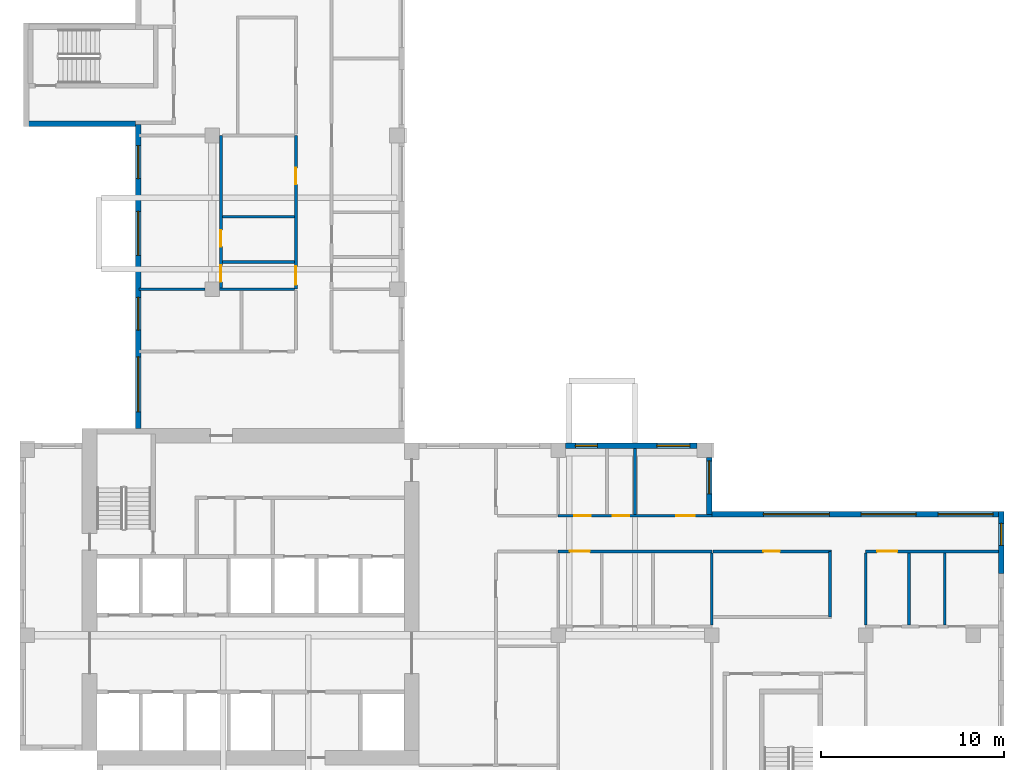
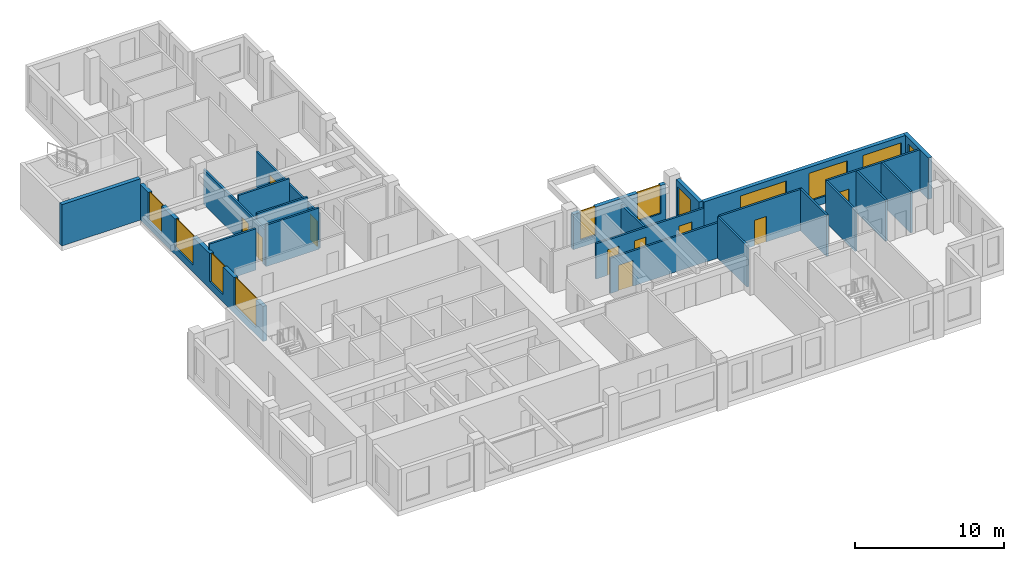
# One storey, part 5 of 11: 22 walls, 11 windows, 10 doors, 21 openings.
"""IFC4 building model written with IfcOpenShell, lengths in metres."""

from ifc_helpers import new_model, si_unit, direction, frame, frame_2d, origin, place, context, subcontext, project, spatial, rectangle, extrude, source, transform, mapped, material, layer, layer_set, type_object, element, fill, save


model = new_model("IFC4")

# Units and contexts
model_context = context("Model", 3, precision=1e-05, world=origin(), true_north=direction((0.0, 1.0)))
body_context = subcontext(model_context, "Body", "Model", "MODEL_VIEW")
ifc_project = project(units=[si_unit("LENGTHUNIT", "METRE"), si_unit("AREAUNIT", "SQUARE_METRE"), si_unit("VOLUMEUNIT", "CUBIC_METRE"), si_unit("PLANEANGLEUNIT", "RADIAN"), si_unit("MASSUNIT", "GRAM", prefix="KILO")], contexts=[model_context])

# Site, building, storey
site_placement = place(None, origin())
site = spatial("IfcSite", under=ifc_project, at=site_placement, CompositionType="ELEMENT")
building_placement = place(site_placement, origin())
building = spatial("IfcBuilding", under=site, at=building_placement, Name="Aurelian Terraces", CompositionType="ELEMENT")
storey_placement = place(building_placement, frame((0.0, 0.0, 250.0)))
storey = spatial("IfcBuildingStorey", under=building, at=storey_placement, Name="L57", CompositionType="ELEMENT", Elevation=250.0)

# Wall
ifc_material_1 = material(Name="Concrete fc' 40 MPa", Category="concrete")
ifc_layer_1 = layer(ifc_material_1, 0.3)
ifc_layer_set_1 = layer_set([ifc_layer_1], Name="STAIR BAY WALL 300")
wall_type_1 = type_object("IfcWallType", Name="STAIR BAY WALL 300", PredefinedType="SOLIDWALL", material=ifc_layer_set_1)
shared_shape_1 = source(origin(), body_context, "Body", "SweptSolid", [
    extrude(rectangle(XDim=6.1, YDim=0.3, at=frame_2d((3.05, 0.0))), origin(), (0.0, 0.0, 1.0), 3.4),
])
wall_1_placement = place(storey_placement, frame((0.2, 38.45, 0.0), z_axis=(0.0, 0.0, 1.0), x_axis=(1.0, 0.0, 0.0)))
element("IfcWall", 1, at=wall_1_placement, inside=storey, type_object=wall_type_1, Name="Stair bay wall L57 F15.28", PredefinedType="SOLIDWALL", context=body_context, shape_type="MappedRepresentation", body=[
    mapped(shared_shape_1, transform((0.0, 0.0, 0.0), scale=1.0)),
])

# Wall, opening, window
ifc_material_2 = material(Name="Terracotta rainscreen cladding", Category="masonry")
ifc_layer_2 = layer(ifc_material_2, 0.3)
ifc_layer_set_2 = layer_set([ifc_layer_2], Name="EW-300")
wall_type_2 = type_object("IfcWallType", Name="EW-300", PredefinedType="STANDARD", material=ifc_layer_set_2)
shared_shape_2 = source(origin(), body_context, "Body", "SweptSolid", [
    extrude(rectangle(XDim=3.375, YDim=0.3, at=frame_2d((1.6875, 0.0))), origin(), (0.0, 0.0, 1.0), 3.4),
])
wall_2_placement = place(storey_placement, frame((53.61, 13.875, 0.0), z_axis=(0.0, 0.0, 1.0), x_axis=(0.0, 1.0, 0.0)))
wall_2 = element("IfcWall", 2, at=wall_2_placement, inside=storey, type_object=wall_type_2, Name="External wall L57 F04.12", PredefinedType="STANDARD", context=body_context, shape_type="MappedRepresentation", body=[
    mapped(shared_shape_2, transform((0.0, 0.0, 0.0), scale=1.0)),
])
shared_shape_3 = source(origin(), body_context, "Body", "SweptSolid", [
    extrude(rectangle(XDim=1.2, YDim=2.3, at=frame_2d((0.6, 1.15))), frame((0.0, 0.16, 0.0), z_axis=(0.0, -1.0, 0.0), x_axis=(1.0, 0.0, 0.0)), (0.0, 0.0, 1.0), 0.32),
])
opening_1_placement = place(wall_2_placement, frame((1.5312, 0.0, 0.6)))
opening_1 = element("IfcOpeningElement", 3, at=opening_1_placement, cuts=wall_2, Name="Opening W1223", PredefinedType="OPENING", context=body_context, shape_type="MappedRepresentation", body=[
    mapped(shared_shape_3, transform((0.0, 0.0, 0.0), scale=1.0)),
])
ifc_material_3 = material(Name="Clear glazing", Category="glass")
window_type_1 = type_object("IfcWindowType", Name="W-1200x2300", PartitioningType="SINGLE_PANEL", PredefinedType="WINDOW", material=ifc_material_3)
shared_shape_4 = source(origin(), body_context, "Body", "SweptSolid", [
    extrude(rectangle(XDim=1.2, YDim=2.3, at=frame_2d((0.6, 1.15))), frame((0.0, 0.03, 0.0), z_axis=(0.0, -1.0, 0.0), x_axis=(1.0, 0.0, 0.0)), (0.0, 0.0, 1.0), 0.06),
])
window_1_placement = place(opening_1_placement, origin())
window_1 = element("IfcWindow", 4, at=window_1_placement, inside=storey, type_object=window_type_1, Name="Window L57 L57-F04-12-P0", OverallHeight=2.3, OverallWidth=1.2, PartitioningType="SINGLE_PANEL", PredefinedType="WINDOW", context=body_context, shape_type="MappedRepresentation", body=[
    mapped(shared_shape_4, transform((0.0, 0.0, 0.0), scale=1.0)),
])
fill(opening_1, window_1)

# Wall, openings, windows
shared_shape_5 = source(origin(), body_context, "Body", "SweptSolid", [
    extrude(rectangle(XDim=16.6, YDim=0.3, at=frame_2d((8.3, 0.0))), origin(), (0.0, 0.0, 1.0), 2.9),
])
wall_3_placement = place(storey_placement, frame((6.45, 38.4, 0.0), z_axis=(0.0, 0.0, 1.0), x_axis=(0.0, -1.0, 0.0)))
wall_3 = element("IfcWall", 5, at=wall_3_placement, inside=storey, type_object=wall_type_2, Name="External wall L57 F16.29", PredefinedType="STANDARD", context=body_context, shape_type="MappedRepresentation", body=[
    mapped(shared_shape_5, transform((0.0, 0.0, 0.0), scale=1.0)),
])
shared_shape_6 = source(origin(), body_context, "Body", "SweptSolid", [
    extrude(rectangle(XDim=1.8, YDim=2.3, at=frame_2d((0.9, 1.15))), frame((0.0, 0.16, 0.0), z_axis=(0.0, -1.0, 0.0), x_axis=(1.0, 0.0, 0.0)), (0.0, 0.0, 1.0), 0.32),
])
opening_2_placement = place(wall_3_placement, frame((1.15, 0.0, 0.6)))
opening_2 = element("IfcOpeningElement", 6, at=opening_2_placement, cuts=wall_3, Name="Opening W1823", PredefinedType="OPENING", context=body_context, shape_type="MappedRepresentation", body=[
    mapped(shared_shape_6, transform((0.0, 0.0, 0.0), scale=1.0)),
])
shared_shape_7 = source(origin(), body_context, "Body", "SweptSolid", [
    extrude(rectangle(XDim=2.4, YDim=2.3, at=frame_2d((1.2, 1.15))), frame((0.0, 0.16, 0.0), z_axis=(0.0, -1.0, 0.0), x_axis=(1.0, 0.0, 0.0)), (0.0, 0.0, 1.0), 0.32),
])
opening_3_placement = place(wall_3_placement, frame((4.75, 0.0, 0.6)))
opening_3 = element("IfcOpeningElement", 7, at=opening_3_placement, cuts=wall_3, Name="Opening W2423", PredefinedType="OPENING", context=body_context, shape_type="MappedRepresentation", body=[
    mapped(shared_shape_7, transform((0.0, 0.0, 0.0), scale=1.0)),
])
opening_4_placement = place(wall_3_placement, frame((9.4375, 0.0, 0.6)))
opening_4 = element("IfcOpeningElement", 8, at=opening_4_placement, cuts=wall_3, Name="Opening W1823", PredefinedType="OPENING", context=body_context, shape_type="MappedRepresentation", body=[
    mapped(shared_shape_6, transform((0.0, 0.0, 0.0), scale=1.0)),
])
shared_shape_8 = source(origin(), body_context, "Body", "SweptSolid", [
    extrude(rectangle(XDim=3.0, YDim=2.3, at=frame_2d((1.5, 1.15))), frame((0.0, 0.16, 0.0), z_axis=(0.0, -1.0, 0.0), x_axis=(1.0, 0.0, 0.0)), (0.0, 0.0, 1.0), 0.32),
])
opening_5_placement = place(wall_3_placement, frame((12.7, 0.0, 0.6)))
opening_5 = element("IfcOpeningElement", 9, at=opening_5_placement, cuts=wall_3, Name="Opening W3023", PredefinedType="OPENING", context=body_context, shape_type="MappedRepresentation", body=[
    mapped(shared_shape_8, transform((0.0, 0.0, 0.0), scale=1.0)),
])
window_type_2 = type_object("IfcWindowType", Name="W-3000x2300", PartitioningType="SINGLE_PANEL", PredefinedType="WINDOW", material=ifc_material_3)
shared_shape_9 = source(origin(), body_context, "Body", "SweptSolid", [
    extrude(rectangle(XDim=3.0, YDim=2.3, at=frame_2d((1.5, 1.15))), frame((0.0, 0.03, 0.0), z_axis=(0.0, -1.0, 0.0), x_axis=(1.0, 0.0, 0.0)), (0.0, 0.0, 1.0), 0.06),
])
window_2_placement = place(opening_5_placement, origin())
window_2 = element("IfcWindow", 10, at=window_2_placement, inside=storey, type_object=window_type_2, Name="Window L57 L57-F16-29-3", OverallHeight=2.3, OverallWidth=3.0, PartitioningType="SINGLE_PANEL", PredefinedType="WINDOW", context=body_context, shape_type="MappedRepresentation", body=[
    mapped(shared_shape_9, transform((0.0, 0.0, 0.0), scale=1.0)),
])
fill(opening_5, window_2)
window_type_3 = type_object("IfcWindowType", Name="W-1800x2300", PartitioningType="SINGLE_PANEL", PredefinedType="WINDOW", material=ifc_material_3)
shared_shape_10 = source(origin(), body_context, "Body", "SweptSolid", [
    extrude(rectangle(XDim=1.8, YDim=2.3, at=frame_2d((0.9, 1.15))), frame((0.0, 0.03, 0.0), z_axis=(0.0, -1.0, 0.0), x_axis=(1.0, 0.0, 0.0)), (0.0, 0.0, 1.0), 0.06),
])
window_3_placement = place(opening_2_placement, origin())
window_3 = element("IfcWindow", 11, at=window_3_placement, inside=storey, type_object=window_type_3, Name="Window L57 L57-F16-29-0", OverallHeight=2.3, OverallWidth=1.8, PartitioningType="SINGLE_PANEL", PredefinedType="WINDOW", context=body_context, shape_type="MappedRepresentation", body=[
    mapped(shared_shape_10, transform((0.0, 0.0, 0.0), scale=1.0)),
])
fill(opening_2, window_3)
window_4_placement = place(opening_4_placement, origin())
window_4 = element("IfcWindow", 12, at=window_4_placement, inside=storey, type_object=window_type_3, Name="Window L57 L57-F16-29-2", OverallHeight=2.3, OverallWidth=1.8, PartitioningType="SINGLE_PANEL", PredefinedType="WINDOW", context=body_context, shape_type="MappedRepresentation", body=[
    mapped(shared_shape_10, transform((0.0, 0.0, 0.0), scale=1.0)),
])
fill(opening_4, window_4)
window_type_4 = type_object("IfcWindowType", Name="W-2400x2300", PartitioningType="SINGLE_PANEL", PredefinedType="WINDOW", material=ifc_material_3)
shared_shape_11 = source(origin(), body_context, "Body", "SweptSolid", [
    extrude(rectangle(XDim=2.4, YDim=2.3, at=frame_2d((1.2, 1.15))), frame((0.0, 0.03, 0.0), z_axis=(0.0, -1.0, 0.0), x_axis=(1.0, 0.0, 0.0)), (0.0, 0.0, 1.0), 0.06),
])
window_5_placement = place(opening_3_placement, origin())
window_5 = element("IfcWindow", 13, at=window_5_placement, inside=storey, type_object=window_type_4, Name="Window L57 L57-F16-29-1", OverallHeight=2.3, OverallWidth=2.4, PartitioningType="SINGLE_PANEL", PredefinedType="WINDOW", context=body_context, shape_type="MappedRepresentation", body=[
    mapped(shared_shape_11, transform((0.0, 0.0, 0.0), scale=1.0)),
])
fill(opening_3, window_5)

shared_shape_12 = source(origin(), body_context, "Body", "SweptSolid", [
    extrude(rectangle(XDim=15.96, YDim=0.3, at=frame_2d((7.98, 0.0))), origin(), (0.0, 0.0, 1.0), 3.4),
])
wall_4_placement = place(storey_placement, frame((53.76, 17.1, 0.0), z_axis=(0.0, 0.0, 1.0), x_axis=(-1.0, 0.0, 0.0)))
wall_4 = element("IfcWall", 14, at=wall_4_placement, inside=storey, type_object=wall_type_2, Name="External wall L57 F05.13", PredefinedType="STANDARD", context=body_context, shape_type="MappedRepresentation", body=[
    mapped(shared_shape_12, transform((0.0, 0.0, 0.0), scale=1.0)),
])
opening_6_placement = place(wall_4_placement, frame((0.6, 0.0, 0.6)))
opening_6 = element("IfcOpeningElement", 15, at=opening_6_placement, cuts=wall_4, Name="Opening W3023", PredefinedType="OPENING", context=body_context, shape_type="MappedRepresentation", body=[
    mapped(shared_shape_8, transform((0.0, 0.0, 0.0), scale=1.0)),
])
opening_7_placement = place(wall_4_placement, frame((4.8, 0.0, 0.6)))
opening_7 = element("IfcOpeningElement", 16, at=opening_7_placement, cuts=wall_4, Name="Opening W3023", PredefinedType="OPENING", context=body_context, shape_type="MappedRepresentation", body=[
    mapped(shared_shape_8, transform((0.0, 0.0, 0.0), scale=1.0)),
])
shared_shape_13 = source(origin(), body_context, "Body", "SweptSolid", [
    extrude(rectangle(XDim=3.6, YDim=2.3, at=frame_2d((1.8, 1.15))), frame((0.0, 0.16, 0.0), z_axis=(0.0, -1.0, 0.0), x_axis=(1.0, 0.0, 0.0)), (0.0, 0.0, 1.0), 0.32),
])
opening_8_placement = place(wall_4_placement, frame((9.54, 0.0, 0.6)))
opening_8 = element("IfcOpeningElement", 17, at=opening_8_placement, cuts=wall_4, Name="Opening W3623", PredefinedType="OPENING", context=body_context, shape_type="MappedRepresentation", body=[
    mapped(shared_shape_13, transform((0.0, 0.0, 0.0), scale=1.0)),
])
window_type_5 = type_object("IfcWindowType", Name="W-3600x2300", PartitioningType="SINGLE_PANEL", PredefinedType="WINDOW", material=ifc_material_3)
shared_shape_14 = source(origin(), body_context, "Body", "SweptSolid", [
    extrude(rectangle(XDim=3.6, YDim=2.3, at=frame_2d((1.8, 1.15))), frame((0.0, 0.03, 0.0), z_axis=(0.0, -1.0, 0.0), x_axis=(1.0, 0.0, 0.0)), (0.0, 0.0, 1.0), 0.06),
])
window_6_placement = place(opening_8_placement, origin())
window_6 = element("IfcWindow", 18, at=window_6_placement, inside=storey, type_object=window_type_5, Name="Window L57 L57-F05-13-2", OverallHeight=2.3, OverallWidth=3.6, PartitioningType="SINGLE_PANEL", PredefinedType="WINDOW", context=body_context, shape_type="MappedRepresentation", body=[
    mapped(shared_shape_14, transform((0.0, 0.0, 0.0), scale=1.0)),
])
fill(opening_8, window_6)
window_7_placement = place(opening_6_placement, origin())
window_7 = element("IfcWindow", 19, at=window_7_placement, inside=storey, type_object=window_type_2, Name="Window L57 L57-F05-13-0", OverallHeight=2.3, OverallWidth=3.0, PartitioningType="SINGLE_PANEL", PredefinedType="WINDOW", context=body_context, shape_type="MappedRepresentation", body=[
    mapped(shared_shape_9, transform((0.0, 0.0, 0.0), scale=1.0)),
])
fill(opening_6, window_7)
window_8_placement = place(opening_7_placement, origin())
window_8 = element("IfcWindow", 20, at=window_8_placement, inside=storey, type_object=window_type_2, Name="Window L57 L57-F05-13-1", OverallHeight=2.3, OverallWidth=3.0, PartitioningType="SINGLE_PANEL", PredefinedType="WINDOW", context=body_context, shape_type="MappedRepresentation", body=[
    mapped(shared_shape_9, transform((0.0, 0.0, 0.0), scale=1.0)),
])
fill(opening_7, window_8)

# Wall, opening, window
shared_shape_15 = source(origin(), body_context, "Body", "SweptSolid", [
    extrude(rectangle(XDim=3.1, YDim=0.3, at=frame_2d((1.55, 0.0))), origin(), (0.0, 0.0, 1.0), 3.4),
])
wall_5_placement = place(storey_placement, frame((37.65, 17.1, 0.0), z_axis=(0.0, 0.0, 1.0), x_axis=(0.0, 1.0, 0.0)))
wall_5 = element("IfcWall", 21, at=wall_5_placement, inside=storey, type_object=wall_type_2, Name="External wall L57 F06.14", PredefinedType="STANDARD", context=body_context, shape_type="MappedRepresentation", body=[
    mapped(shared_shape_15, transform((0.0, 0.0, 0.0), scale=1.0)),
])
opening_9_placement = place(wall_5_placement, frame((1.125, 0.0, 0.6)))
opening_9 = element("IfcOpeningElement", 22, at=opening_9_placement, cuts=wall_5, Name="Opening W1823", PredefinedType="OPENING", context=body_context, shape_type="MappedRepresentation", body=[
    mapped(shared_shape_6, transform((0.0, 0.0, 0.0), scale=1.0)),
])
window_9_placement = place(opening_9_placement, origin())
window_9 = element("IfcWindow", 23, at=window_9_placement, inside=storey, type_object=window_type_3, Name="Window L57 L57-F06-14-0", OverallHeight=2.3, OverallWidth=1.8, PartitioningType="SINGLE_PANEL", PredefinedType="WINDOW", context=body_context, shape_type="MappedRepresentation", body=[
    mapped(shared_shape_10, transform((0.0, 0.0, 0.0), scale=1.0)),
])
fill(opening_9, window_9)

# Wall, openings, windows
shared_shape_16 = source(origin(), body_context, "Body", "SweptSolid", [
    extrude(rectangle(XDim=7.2, YDim=0.3, at=frame_2d((3.6, 0.0))), origin(), (0.0, 0.0, 1.0), 2.9),
])
wall_6_placement = place(storey_placement, frame((37.0, 20.85, 0.0), z_axis=(0.0, 0.0, 1.0), x_axis=(-1.0, 0.0, 0.0)))
wall_6 = element("IfcWall", 24, at=wall_6_placement, inside=storey, type_object=wall_type_2, Name="External wall L57 F07.15", PredefinedType="STANDARD", context=body_context, shape_type="MappedRepresentation", body=[
    mapped(shared_shape_16, transform((0.0, 0.0, 0.0), scale=1.0)),
])
opening_10_placement = place(wall_6_placement, frame((0.4, 0.0, 0.6)))
opening_10 = element("IfcOpeningElement", 25, at=opening_10_placement, cuts=wall_6, Name="Opening W1823", PredefinedType="OPENING", context=body_context, shape_type="MappedRepresentation", body=[
    mapped(shared_shape_6, transform((0.0, 0.0, 0.0), scale=1.0)),
])
opening_11_placement = place(wall_6_placement, frame((5.454, 0.0, 0.6)))
opening_11 = element("IfcOpeningElement", 26, at=opening_11_placement, cuts=wall_6, Name="Opening W1223", PredefinedType="OPENING", context=body_context, shape_type="MappedRepresentation", body=[
    mapped(shared_shape_3, transform((0.0, 0.0, 0.0), scale=1.0)),
])
window_10_placement = place(opening_11_placement, origin())
window_10 = element("IfcWindow", 27, at=window_10_placement, inside=storey, type_object=window_type_1, Name="Window L57 L57-F07-15-1", OverallHeight=2.3, OverallWidth=1.2, PartitioningType="SINGLE_PANEL", PredefinedType="WINDOW", context=body_context, shape_type="MappedRepresentation", body=[
    mapped(shared_shape_4, transform((0.0, 0.0, 0.0), scale=1.0)),
])
fill(opening_11, window_10)
window_11_placement = place(opening_10_placement, origin())
window_11 = element("IfcWindow", 28, at=window_11_placement, inside=storey, type_object=window_type_3, Name="Window L57 L57-F07-15-0", OverallHeight=2.3, OverallWidth=1.8, PartitioningType="SINGLE_PANEL", PredefinedType="WINDOW", context=body_context, shape_type="MappedRepresentation", body=[
    mapped(shared_shape_10, transform((0.0, 0.0, 0.0), scale=1.0)),
])
fill(opening_10, window_11)

# Wall, opening, door
ifc_material_4 = material(Name="Gypsum board on steel studs", Category="steel")
ifc_layer_3 = layer(ifc_material_4, 0.15)
ifc_layer_set_3 = layer_set([ifc_layer_3], Name="Fire partition 150")
wall_type_3 = type_object("IfcWallType", Name="Fire partition 150", PredefinedType="PARTITIONING", material=ifc_layer_set_3)
shared_shape_17 = source(origin(), body_context, "Body", "SweptSolid", [
    extrude(rectangle(XDim=6.45, YDim=0.15, at=frame_2d((3.225, 0.0))), origin(), (0.0, 0.0, 1.0), 3.4),
])
wall_7_placement = place(storey_placement, frame((44.325, 15.075, 0.0), z_axis=(0.0, 0.0, 1.0), x_axis=(-1.0, 0.0, 0.0)))
wall_7 = element("IfcWall", 29, at=wall_7_placement, inside=storey, type_object=wall_type_3, Name="Corridor wall", PredefinedType="PARTITIONING", context=body_context, shape_type="MappedRepresentation", body=[
    mapped(shared_shape_17, transform((0.0, 0.0, 0.0), scale=1.0)),
])
shared_shape_18 = source(origin(), body_context, "Body", "SweptSolid", [
    extrude(rectangle(XDim=0.9, YDim=2.1, at=frame_2d((0.45, 1.05))), frame((0.0, 0.085, 0.0), z_axis=(0.0, -1.0, 0.0), x_axis=(1.0, 0.0, 0.0)), (0.0, 0.0, 1.0), 0.17),
])
opening_12_placement = place(wall_7_placement, frame((2.8125, 0.0, 0.0)))
opening_12 = element("IfcOpeningElement", 30, at=opening_12_placement, cuts=wall_7, Name="Opening 757005", PredefinedType="OPENING", context=body_context, shape_type="MappedRepresentation", body=[
    mapped(shared_shape_18, transform((0.0, 0.0, 0.0), scale=1.0)),
])
ifc_material_5 = material(Name="Timber door leaf", Category="wood")
door_type_1 = type_object("IfcDoorType", Name="Room door 900x2100 right", OperationType="SINGLE_SWING_RIGHT", PredefinedType="DOOR", material=ifc_material_5)
shared_shape_19 = source(origin(), body_context, "Body", "SweptSolid", [
    extrude(rectangle(XDim=0.9, YDim=2.1, at=frame_2d((0.45, 1.05))), frame((0.0, 0.025, 0.0), z_axis=(0.0, -1.0, 0.0), x_axis=(1.0, 0.0, 0.0)), (0.0, 0.0, 1.0), 0.05),
])
door_1_placement = place(opening_12_placement, origin())
door_1 = element("IfcDoor", 31, at=door_1_placement, inside=storey, type_object=door_type_1, Name="Door 757005", OperationType="SINGLE_SWING_RIGHT", OverallHeight=2.1, OverallWidth=0.9, PredefinedType="DOOR", context=body_context, shape_type="MappedRepresentation", body=[
    mapped(shared_shape_19, transform((0.0, 0.0, 0.0), scale=1.0)),
])
fill(opening_12, door_1)

shared_shape_20 = source(origin(), body_context, "Body", "SweptSolid", [
    extrude(rectangle(XDim=7.26, YDim=0.15, at=frame_2d((3.63, 0.0))), origin(), (0.0, 0.0, 1.0), 3.4),
])
wall_8_placement = place(storey_placement, frame((53.46, 15.075, 0.0), z_axis=(0.0, 0.0, 1.0), x_axis=(-1.0, 0.0, 0.0)))
wall_8 = element("IfcWall", 32, at=wall_8_placement, inside=storey, type_object=wall_type_3, Name="Corridor wall", PredefinedType="PARTITIONING", context=body_context, shape_type="MappedRepresentation", body=[
    mapped(shared_shape_20, transform((0.0, 0.0, 0.0), scale=1.0)),
])
shared_shape_21 = source(origin(), body_context, "Body", "SweptSolid", [
    extrude(rectangle(XDim=1.1, YDim=2.1, at=frame_2d((0.55, 1.05))), frame((0.0, 0.085, 0.0), z_axis=(0.0, -1.0, 0.0), x_axis=(1.0, 0.0, 0.0)), (0.0, 0.0, 1.0), 0.17),
])
opening_13_placement = place(wall_8_placement, frame((5.5251, 0.0, 0.0)))
opening_13 = element("IfcOpeningElement", 33, at=opening_13_placement, cuts=wall_8, Name="Opening 757011", PredefinedType="OPENING", context=body_context, shape_type="MappedRepresentation", body=[
    mapped(shared_shape_21, transform((0.0, 0.0, 0.0), scale=1.0)),
])
ifc_material_6 = material(Name="Steel door leaf", Category="steel")
door_type_2 = type_object("IfcDoorType", Name="Entrance fire door 1100x2100 left", OperationType="SINGLE_SWING_LEFT", PredefinedType="DOOR", material=ifc_material_6)
shared_shape_22 = source(origin(), body_context, "Body", "SweptSolid", [
    extrude(rectangle(XDim=1.1, YDim=2.1, at=frame_2d((0.55, 1.05))), frame((0.0, 0.025, 0.0), z_axis=(0.0, -1.0, 0.0), x_axis=(1.0, 0.0, 0.0)), (0.0, 0.0, 1.0), 0.05),
])
door_2_placement = place(opening_13_placement, origin())
door_2 = element("IfcDoor", 34, at=door_2_placement, inside=storey, type_object=door_type_2, Name="Door 757011", OperationType="SINGLE_SWING_LEFT", OverallHeight=2.1, OverallWidth=1.1, PredefinedType="DOOR", context=body_context, shape_type="MappedRepresentation", body=[
    mapped(shared_shape_22, transform((0.0, 0.0, 0.0), scale=1.0)),
])
fill(opening_13, door_2)

# Walls
ifc_layer_4 = layer(ifc_material_4, 0.15)
ifc_layer_set_4 = layer_set([ifc_layer_4], Name="Partition 150")
wall_type_4 = type_object("IfcWallType", Name="Partition 150", PredefinedType="PARTITIONING", material=ifc_layer_set_4)
shared_shape_23 = source(origin(), body_context, "Body", "SweptSolid", [
    extrude(rectangle(XDim=3.575, YDim=0.15, at=frame_2d((1.7875, 0.0))), origin(), (0.0, 0.0, 1.0), 3.4),
])
wall_9_placement = place(storey_placement, frame((44.25, 11.5, 0.0), z_axis=(0.0, 0.0, 1.0), x_axis=(0.0, 1.0, 0.0)))
element("IfcWall", 35, at=wall_9_placement, inside=storey, type_object=wall_type_4, Name="Partition", PredefinedType="PARTITIONING", context=body_context, shape_type="MappedRepresentation", body=[
    mapped(shared_shape_23, transform((0.0, 0.0, 0.0), scale=1.0)),
])
shared_shape_24 = source(origin(), body_context, "Body", "SweptSolid", [
    extrude(rectangle(XDim=3.6, YDim=0.15, at=frame_2d((1.8, 0.0))), origin(), (0.0, 0.0, 1.0), 2.4),
])
wall_10_placement = place(storey_placement, frame((33.6, 17.1, 0.0), z_axis=(0.0, 0.0, 1.0), x_axis=(0.0, 1.0, 0.0)))
element("IfcWall", 36, at=wall_10_placement, inside=storey, type_object=wall_type_3, Name="Party wall", PredefinedType="PARTITIONING", context=body_context, shape_type="MappedRepresentation", body=[
    mapped(shared_shape_24, transform((0.0, 0.0, 0.0), scale=1.0)),
])

# Wall, opening, door
shared_shape_25 = source(origin(), body_context, "Body", "SweptSolid", [
    extrude(rectangle(XDim=8.4, YDim=0.15, at=frame_2d((4.2, 0.0))), origin(), (0.0, 0.0, 1.0), 2.9),
])
wall_11_placement = place(storey_placement, frame((37.8, 15.075, 0.0), z_axis=(0.0, 0.0, 1.0), x_axis=(-1.0, 0.0, 0.0)))
wall_11 = element("IfcWall", 37, at=wall_11_placement, inside=storey, type_object=wall_type_3, Name="Corridor wall", PredefinedType="PARTITIONING", context=body_context, shape_type="MappedRepresentation", body=[
    mapped(shared_shape_25, transform((0.0, 0.0, 0.0), scale=1.0)),
])
opening_14_placement = place(wall_11_placement, frame((6.6615, 0.0, 0.0)))
opening_14 = element("IfcOpeningElement", 38, at=opening_14_placement, cuts=wall_11, Name="Opening 757007", PredefinedType="OPENING", context=body_context, shape_type="MappedRepresentation", body=[
    mapped(shared_shape_21, transform((0.0, 0.0, 0.0), scale=1.0)),
])
door_3_placement = place(opening_14_placement, origin())
door_3 = element("IfcDoor", 39, at=door_3_placement, inside=storey, type_object=door_type_2, Name="Door 757007", OperationType="SINGLE_SWING_LEFT", OverallHeight=2.1, OverallWidth=1.1, PredefinedType="DOOR", context=body_context, shape_type="MappedRepresentation", body=[
    mapped(shared_shape_22, transform((0.0, 0.0, 0.0), scale=1.0)),
])
fill(opening_14, door_3)

# Wall, openings, doors
wall_12_placement = place(storey_placement, frame((29.4, 17.025, 0.0), z_axis=(0.0, 0.0, 1.0), x_axis=(1.0, 0.0, 0.0)))
wall_12 = element("IfcWall", 40, at=wall_12_placement, inside=storey, type_object=wall_type_3, Name="Corridor wall", PredefinedType="PARTITIONING", context=body_context, shape_type="MappedRepresentation", body=[
    mapped(shared_shape_25, transform((0.0, 0.0, 0.0), scale=1.0)),
])
opening_15_placement = place(wall_12_placement, frame((0.8835, 0.0, 0.0)))
opening_15 = element("IfcOpeningElement", 41, at=opening_15_placement, cuts=wall_12, Name="Opening 757015", PredefinedType="OPENING", context=body_context, shape_type="MappedRepresentation", body=[
    mapped(shared_shape_18, transform((0.0, 0.0, 0.0), scale=1.0)),
])
opening_16_placement = place(wall_12_placement, frame((2.9835, 0.0, 0.0)))
opening_16 = element("IfcOpeningElement", 42, at=opening_16_placement, cuts=wall_12, Name="Opening 757016", PredefinedType="OPENING", context=body_context, shape_type="MappedRepresentation", body=[
    mapped(shared_shape_18, transform((0.0, 0.0, 0.0), scale=1.0)),
])
shared_shape_26 = source(origin(), body_context, "Body", "SweptSolid", [
    extrude(rectangle(XDim=1.0, YDim=2.1, at=frame_2d((0.5, 1.05))), frame((0.0, 0.085, 0.0), z_axis=(0.0, -1.0, 0.0), x_axis=(1.0, 0.0, 0.0)), (0.0, 0.0, 1.0), 0.17),
])
opening_17_placement = place(wall_12_placement, frame((6.4625, 0.0, 0.0)))
opening_17 = element("IfcOpeningElement", 43, at=opening_17_placement, cuts=wall_12, Name="Opening 757017", PredefinedType="OPENING", context=body_context, shape_type="MappedRepresentation", body=[
    mapped(shared_shape_26, transform((0.0, 0.0, 0.0), scale=1.0)),
])
door_type_3 = type_object("IfcDoorType", Name="Entrance fire door 1000x2100 left", OperationType="SINGLE_SWING_LEFT", PredefinedType="DOOR", material=ifc_material_6)
shared_shape_27 = source(origin(), body_context, "Body", "SweptSolid", [
    extrude(rectangle(XDim=1.0, YDim=2.1, at=frame_2d((0.5, 1.05))), frame((0.0, 0.025, 0.0), z_axis=(0.0, -1.0, 0.0), x_axis=(1.0, 0.0, 0.0)), (0.0, 0.0, 1.0), 0.05),
])
door_4_placement = place(opening_17_placement, origin())
door_4 = element("IfcDoor", 44, at=door_4_placement, inside=storey, type_object=door_type_3, Name="Door 757017", OperationType="SINGLE_SWING_LEFT", OverallHeight=2.1, OverallWidth=1.0, PredefinedType="DOOR", context=body_context, shape_type="MappedRepresentation", body=[
    mapped(shared_shape_27, transform((0.0, 0.0, 0.0), scale=1.0)),
])
fill(opening_17, door_4)
door_type_4 = type_object("IfcDoorType", Name="Entrance fire door 900x2100 left", OperationType="SINGLE_SWING_LEFT", PredefinedType="DOOR", material=ifc_material_6)
door_5_placement = place(opening_15_placement, origin())
door_5 = element("IfcDoor", 45, at=door_5_placement, inside=storey, type_object=door_type_4, Name="Door 757015", OperationType="SINGLE_SWING_LEFT", OverallHeight=2.1, OverallWidth=0.9, PredefinedType="DOOR", context=body_context, shape_type="MappedRepresentation", body=[
    mapped(shared_shape_19, transform((0.0, 0.0, 0.0), scale=1.0)),
])
fill(opening_15, door_5)
door_type_5 = type_object("IfcDoorType", Name="Entrance fire door 900x2100 right", OperationType="SINGLE_SWING_RIGHT", PredefinedType="DOOR", material=ifc_material_6)
door_6_placement = place(opening_16_placement, origin())
door_6 = element("IfcDoor", 46, at=door_6_placement, inside=storey, type_object=door_type_5, Name="Door 757016", OperationType="SINGLE_SWING_RIGHT", OverallHeight=2.1, OverallWidth=0.9, PredefinedType="DOOR", context=body_context, shape_type="MappedRepresentation", body=[
    mapped(shared_shape_19, transform((0.0, 0.0, 0.0), scale=1.0)),
])
fill(opening_16, door_6)

wall_13_placement = place(storey_placement, frame((10.975, 29.4, 0.0), z_axis=(0.0, 0.0, 1.0), x_axis=(0.0, 1.0, 0.0)))
wall_13 = element("IfcWall", 47, at=wall_13_placement, inside=storey, type_object=wall_type_4, Name="Partition", PredefinedType="PARTITIONING", context=body_context, shape_type="MappedRepresentation", body=[
    mapped(shared_shape_25, transform((0.0, 0.0, 0.0), scale=1.0)),
])
opening_18_placement = place(wall_13_placement, frame((0.408, 0.0, 0.0)))
opening_18 = element("IfcOpeningElement", 48, at=opening_18_placement, cuts=wall_13, Name="Opening 757024", PredefinedType="OPENING", context=body_context, shape_type="MappedRepresentation", body=[
    mapped(shared_shape_18, transform((0.0, 0.0, 0.0), scale=1.0)),
])
opening_19_placement = place(wall_13_placement, frame((2.3283, 0.0, 0.0)))
opening_19 = element("IfcOpeningElement", 49, at=opening_19_placement, cuts=wall_13, Name="Opening 757025", PredefinedType="OPENING", context=body_context, shape_type="MappedRepresentation", body=[
    mapped(shared_shape_18, transform((0.0, 0.0, 0.0), scale=1.0)),
])
door_7_placement = place(opening_18_placement, origin())
door_7 = element("IfcDoor", 50, at=door_7_placement, inside=storey, type_object=door_type_1, Name="Door 757024", OperationType="SINGLE_SWING_RIGHT", OverallHeight=2.1, OverallWidth=0.9, PredefinedType="DOOR", context=body_context, shape_type="MappedRepresentation", body=[
    mapped(shared_shape_19, transform((0.0, 0.0, 0.0), scale=1.0)),
])
fill(opening_18, door_7)
door_type_6 = type_object("IfcDoorType", Name="Room door 900x2100 left", OperationType="SINGLE_SWING_LEFT", PredefinedType="DOOR", material=ifc_material_5)
door_8_placement = place(opening_19_placement, origin())
door_8 = element("IfcDoor", 51, at=door_8_placement, inside=storey, type_object=door_type_6, Name="Door 757025", OperationType="SINGLE_SWING_LEFT", OverallHeight=2.1, OverallWidth=0.9, PredefinedType="DOOR", context=body_context, shape_type="MappedRepresentation", body=[
    mapped(shared_shape_19, transform((0.0, 0.0, 0.0), scale=1.0)),
])
fill(opening_19, door_8)

wall_14_placement = place(storey_placement, frame((15.075, 29.4, 0.0), z_axis=(0.0, 0.0, 1.0), x_axis=(0.0, 1.0, 0.0)))
wall_14 = element("IfcWall", 52, at=wall_14_placement, inside=storey, type_object=wall_type_3, Name="Corridor wall", PredefinedType="PARTITIONING", context=body_context, shape_type="MappedRepresentation", body=[
    mapped(shared_shape_25, transform((0.0, 0.0, 0.0), scale=1.0)),
])
opening_20_placement = place(wall_14_placement, frame((0.245, 0.0, 0.0)))
opening_20 = element("IfcOpeningElement", 53, at=opening_20_placement, cuts=wall_14, Name="Opening 757023", PredefinedType="OPENING", context=body_context, shape_type="MappedRepresentation", body=[
    mapped(shared_shape_26, transform((0.0, 0.0, 0.0), scale=1.0)),
])
opening_21_placement = place(wall_14_placement, frame((5.7333, 0.0, 0.0)))
opening_21 = element("IfcOpeningElement", 54, at=opening_21_placement, cuts=wall_14, Name="Opening 757026", PredefinedType="OPENING", context=body_context, shape_type="MappedRepresentation", body=[
    mapped(shared_shape_18, transform((0.0, 0.0, 0.0), scale=1.0)),
])
door_9_placement = place(opening_20_placement, origin())
door_9 = element("IfcDoor", 55, at=door_9_placement, inside=storey, type_object=door_type_3, Name="Door 757023", OperationType="SINGLE_SWING_LEFT", OverallHeight=2.1, OverallWidth=1.0, PredefinedType="DOOR", context=body_context, shape_type="MappedRepresentation", body=[
    mapped(shared_shape_27, transform((0.0, 0.0, 0.0), scale=1.0)),
])
fill(opening_20, door_9)
door_10_placement = place(opening_21_placement, origin())
door_10 = element("IfcDoor", 56, at=door_10_placement, inside=storey, type_object=door_type_5, Name="Door 757026", OperationType="SINGLE_SWING_RIGHT", OverallHeight=2.1, OverallWidth=0.9, PredefinedType="DOOR", context=body_context, shape_type="MappedRepresentation", body=[
    mapped(shared_shape_19, transform((0.0, 0.0, 0.0), scale=1.0)),
])
fill(opening_21, door_10)

# Walls
shared_shape_28 = source(origin(), body_context, "Body", "SweptSolid", [
    extrude(rectangle(XDim=3.95, YDim=0.15, at=frame_2d((1.975, 0.0))), origin(), (0.0, 0.0, 1.0), 3.4),
])
wall_15_placement = place(storey_placement, frame((37.8, 11.05, 0.0), z_axis=(0.0, 0.0, 1.0), x_axis=(0.0, 1.0, 0.0)))
element("IfcWall", 57, at=wall_15_placement, inside=storey, type_object=wall_type_3, Name="Party wall", PredefinedType="PARTITIONING", context=body_context, shape_type="MappedRepresentation", body=[
    mapped(shared_shape_28, transform((0.0, 0.0, 0.0), scale=1.0)),
])
for number, where, z_axis, x_axis, name in (
    (58, (48.5699, 11.05, 0.0), (0.0, 0.0, 1.0), (0.0, 1.0, 0.0), "Partition"),
    (59, (50.5229, 11.05, 0.0), (0.0, 0.0, 1.0), (0.0, 1.0, 0.0), "Partition"),
):
    element("IfcWall", number, at=place(storey_placement, frame(where, z_axis=z_axis, x_axis=x_axis)), inside=storey, type_object=wall_type_4, Name=name, PredefinedType="PARTITIONING", context=body_context, shape_type="MappedRepresentation", body=[
        mapped(shared_shape_28, transform((0.0, 0.0, 0.0), scale=1.0)),
    ])
wall_16_placement = place(storey_placement, frame((46.2, 11.05, 0.0), z_axis=(0.0, 0.0, 1.0), x_axis=(0.0, 1.0, 0.0)))
element("IfcWall", 60, at=wall_16_placement, inside=storey, type_object=wall_type_3, Name="Party wall", PredefinedType="PARTITIONING", context=body_context, shape_type="MappedRepresentation", body=[
    mapped(shared_shape_28, transform((0.0, 0.0, 0.0), scale=1.0)),
])
for number, where, z_axis, x_axis, name in (
    (61, (15.0, 30.8901, 0.0), (0.0, 0.0, 1.0), (-1.0, 0.0, 0.0), "Partition"),
    (62, (15.0, 33.3665, 0.0), (0.0, 0.0, 1.0), (-1.0, 0.0, 0.0), "Partition"),
):
    element("IfcWall", number, at=place(storey_placement, frame(where, z_axis=z_axis, x_axis=x_axis)), inside=storey, type_object=wall_type_4, Name=name, PredefinedType="PARTITIONING", context=body_context, shape_type="MappedRepresentation", body=[
        mapped(shared_shape_28, transform((0.0, 0.0, 0.0), scale=1.0)),
    ])
shared_shape_29 = source(origin(), body_context, "Body", "SweptSolid", [
    extrude(rectangle(XDim=4.101, YDim=0.15, at=frame_2d((2.0505, 0.0))), origin(), (0.0, 0.0, 1.0), 3.4),
])
wall_17_placement = place(storey_placement, frame((15.0, 29.4, 0.0), z_axis=(0.0, 0.0, 1.0), x_axis=(-1.0, 0.0, 0.0)))
element("IfcWall", 63, at=wall_17_placement, inside=storey, type_object=wall_type_4, Name="Partition", PredefinedType="PARTITIONING", context=body_context, shape_type="MappedRepresentation", body=[
    mapped(shared_shape_29, transform((0.0, 0.0, 0.0), scale=1.0)),
])
shared_shape_30 = source(origin(), body_context, "Body", "SweptSolid", [
    extrude(rectangle(XDim=3.596, YDim=0.15, at=frame_2d((1.798, 0.0))), origin(), (0.0, 0.0, 1.0), 3.4),
])
wall_18_placement = place(storey_placement, frame((10.101, 29.4, 0.0), z_axis=(0.0, 0.0, 1.0), x_axis=(-1.0, 0.0, 0.0)))
element("IfcWall", 64, at=wall_18_placement, inside=storey, type_object=wall_type_4, Name="Partition", PredefinedType="PARTITIONING", context=body_context, shape_type="MappedRepresentation", body=[
    mapped(shared_shape_30, transform((0.0, 0.0, 0.0), scale=1.0)),
])

save(model, "model.ifc")
